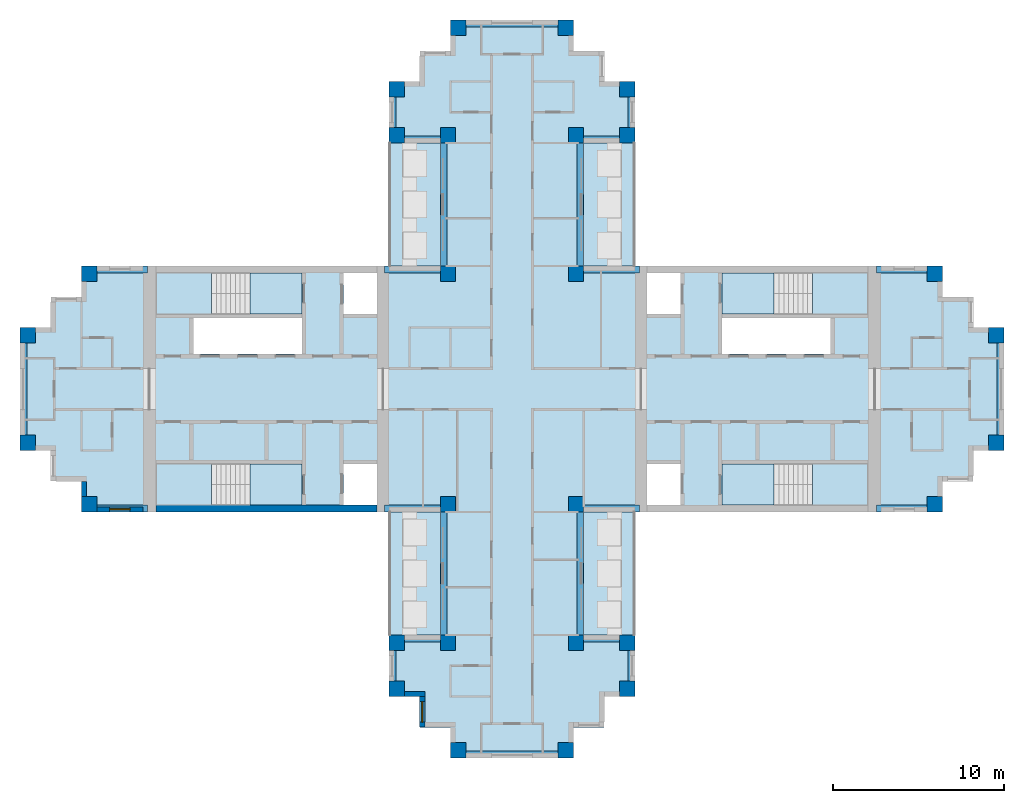
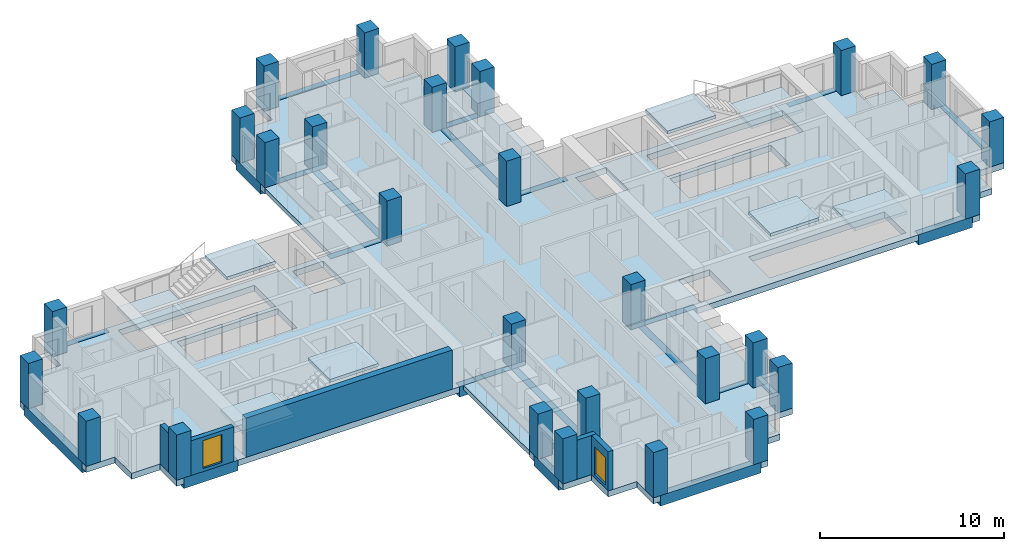
# One storey, part 1 of 10: 28 columns, 24 beams, 13 slabs, 5 walls, 2 windows, 2 openings, 4 elements without a shape of their own.
"""IFC4 building model written with IfcOpenShell, lengths in metres."""

from ifc_helpers import new_model, si_unit, direction, frame, frame_2d, origin, origin_2d, place, context, subcontext, project, spatial, polyline, rectangle, outline, extrude, material, layer, layer_set, material_profile, profile_set, type_object, element, fill, aggregate, save


model = new_model("IFC4")

# Units and contexts
model_context = context("Model", 3, precision=1e-05, world=origin(), true_north=direction((0.0, 1.0)))
body_context = subcontext(model_context, "Body", "Model", "MODEL_VIEW")
ifc_project = project(units=[si_unit("LENGTHUNIT", "METRE"), si_unit("AREAUNIT", "SQUARE_METRE"), si_unit("VOLUMEUNIT", "CUBIC_METRE"), si_unit("PLANEANGLEUNIT", "RADIAN"), si_unit("MASSUNIT", "GRAM", prefix="KILO")], contexts=[model_context])

# Site, building, storey
site_placement = place(None, origin())
site = spatial("IfcSite", under=ifc_project, at=site_placement, CompositionType="ELEMENT")
building_placement = place(site_placement, origin())
building = spatial("IfcBuilding", under=site, at=building_placement, Name="Fustian Cross Tower", CompositionType="ELEMENT")
storey_placement = place(building_placement, frame((0.0, 0.0, 231.89990234375)))
storey = spatial("IfcBuildingStorey", under=building, at=storey_placement, Name="L73", CompositionType="ELEMENT", Elevation=231.89990234375)

# Columns
ifc_material_1 = material(Name="Concrete C40/50", Category="concrete")
ifc_material_profile_1 = material_profile(ifc_material_1, rectangle(XDim=0.89990234375, YDim=0.89990234375, at=origin_2d()), Name="RC 900x900")
ifc_profile_set_1 = profile_set([ifc_material_profile_1], Name="Concrete C40/50")
column_type = type_object("IfcColumnType", Name="COLUMN RC 900x900 C40/50", PredefinedType="COLUMN", material=ifc_profile_set_1)
for number, where, z_axis, x_axis, name in (
    (1, (-28.35009765625, -3.14990234375, 0.0), (0.0, 0.0, 1.0), (1.0, 0.0, 0.0), "COLUMN 008"),
    (2, (-28.35009765625, 3.14990234375, 0.0), (0.0, 0.0, 1.0), (1.0, 0.0, 0.0), "COLUMN 009"),
    (3, (-24.75, -6.75, 0.0), (0.0, 0.0, 1.0), (1.0, 0.0, 0.0), "COLUMN 011"),
    (4, (-24.75, 6.75, 0.0), (0.0, 0.0, 1.0), (1.0, 0.0, 0.0), "COLUMN 012"),
    (5, (-6.75, -17.550048828125, 0.0), (0.0, 0.0, 1.0), (1.0, 0.0, 0.0), "COLUMN 017"),
    (6, (-6.75, -14.85009765625, 0.0), (0.0, 0.0, 1.0), (1.0, 0.0, 0.0), "COLUMN 018"),
    (7, (-6.75, 14.85009765625, 0.0), (0.0, 0.0, 1.0), (1.0, 0.0, 0.0), "COLUMN 019"),
    (8, (-6.75, 17.550048828125, 0.0), (0.0, 0.0, 1.0), (1.0, 0.0, 0.0), "COLUMN 020"),
    (9, (-3.75, -14.85009765625, 0.0), (0.0, 0.0, 1.0), (1.0, 0.0, 0.0), "COLUMN 025"),
    (10, (-3.75, -6.75, 0.0), (0.0, 0.0, 1.0), (1.0, 0.0, 0.0), "COLUMN 026"),
    (11, (-3.75, 6.75, 0.0), (0.0, 0.0, 1.0), (1.0, 0.0, 0.0), "COLUMN 027"),
    (12, (-3.75, 14.85009765625, 0.0), (0.0, 0.0, 1.0), (1.0, 0.0, 0.0), "COLUMN 028"),
    (13, (-3.14990234375, -21.14990234375, 0.0), (0.0, 0.0, 1.0), (1.0, 0.0, 0.0), "COLUMN 030"),
    (14, (-3.14990234375, 21.14990234375, 0.0), (0.0, 0.0, 1.0), (1.0, 0.0, 0.0), "COLUMN 031"),
    (15, (3.14990234375, -21.14990234375, 0.0), (0.0, 0.0, 1.0), (1.0, 0.0, 0.0), "COLUMN 034"),
    (16, (3.14990234375, 21.14990234375, 0.0), (0.0, 0.0, 1.0), (1.0, 0.0, 0.0), "COLUMN 035"),
    (17, (3.75, -14.85009765625, 0.0), (0.0, 0.0, 1.0), (1.0, 0.0, 0.0), "COLUMN 037"),
    (18, (3.75, -6.75, 0.0), (0.0, 0.0, 1.0), (1.0, 0.0, 0.0), "COLUMN 038"),
    (19, (3.75, 6.75, 0.0), (0.0, 0.0, 1.0), (1.0, 0.0, 0.0), "COLUMN 039"),
    (20, (3.75, 14.85009765625, 0.0), (0.0, 0.0, 1.0), (1.0, 0.0, 0.0), "COLUMN 040"),
    (21, (6.75, -17.550048828125, 0.0), (0.0, 0.0, 1.0), (1.0, 0.0, 0.0), "COLUMN 045"),
    (22, (6.75, -14.85009765625, 0.0), (0.0, 0.0, 1.0), (1.0, 0.0, 0.0), "COLUMN 046"),
    (23, (6.75, 14.85009765625, 0.0), (0.0, 0.0, 1.0), (1.0, 0.0, 0.0), "COLUMN 047"),
    (24, (6.75, 17.550048828125, 0.0), (0.0, 0.0, 1.0), (1.0, 0.0, 0.0), "COLUMN 048"),
    (25, (24.75, -6.75, 0.0), (0.0, 0.0, 1.0), (1.0, 0.0, 0.0), "COLUMN 053"),
    (26, (24.75, 6.75, 0.0), (0.0, 0.0, 1.0), (1.0, 0.0, 0.0), "COLUMN 054"),
    (27, (28.35009765625, -3.14990234375, 0.0), (0.0, 0.0, 1.0), (1.0, 0.0, 0.0), "COLUMN 056"),
    (28, (28.35009765625, 3.14990234375, 0.0), (0.0, 0.0, 1.0), (1.0, 0.0, 0.0), "COLUMN 057"),
):
    element("IfcColumn", number, at=place(storey_placement, frame(where, z_axis=z_axis, x_axis=x_axis)), inside=storey, type_object=column_type, Name=name, PredefinedType="COLUMN", context=body_context, shape_type="SweptSolid", body=[
        extrude(rectangle(XDim=0.89990234375, YDim=0.89990234375, at=origin_2d()), origin(), (0.0, 0.0, 1.0), 3.0),
    ])

# Beams
ifc_material_2 = material(Name="Concrete C50/60", Category="concrete")
ifc_material_profile_2 = material_profile(ifc_material_2, rectangle(XDim=0.39990234375, YDim=0.699951171875, at=origin_2d()), Name="RC 400x700")
ifc_profile_set_2 = profile_set([ifc_material_profile_2], Name="Concrete C50/60")
beam_type = type_object("IfcBeamType", Name="EDGE BEAM RC 400x700 C50/60", PredefinedType="SPANDREL", material=ifc_profile_set_2)
beam_1_placement = place(storey_placement, frame((21.35009765625, -7.0, -0.349853515625), z_axis=(1.0, 0.0, 0.0), x_axis=(0.0, 1.0, 0.0)))
element("IfcBeam", 29, at=beam_1_placement, inside=storey, type_object=beam_type, Name="EDGE BEAM L73-01", PredefinedType="SPANDREL", context=body_context, shape_type="SweptSolid", body=[
    extrude(rectangle(XDim=0.39990234375, YDim=0.699951171875, at=origin_2d()), origin(), (0.0, 0.0, 1.0), 3.39990234375),
])
beam_2_placement = place(storey_placement, frame((28.60009765625, -3.14990234375, -0.349853515625), z_axis=(0.0, 1.0, 0.0), x_axis=(-1.0, 0.0, 0.0)))
element("IfcBeam", 30, at=beam_2_placement, inside=storey, type_object=beam_type, Name="EDGE BEAM L73-02", PredefinedType="SPANDREL", context=body_context, shape_type="SweptSolid", body=[
    extrude(rectangle(XDim=0.39990234375, YDim=0.699951171875, at=origin_2d()), origin(), (0.0, 0.0, 1.0), 6.2998046875),
])
beam_3_placement = place(storey_placement, frame((24.75, 7.0, -0.349853515625), z_axis=(-1.0, 0.0, 0.0), x_axis=(0.0, -1.0, 0.0)))
element("IfcBeam", 31, at=beam_3_placement, inside=storey, type_object=beam_type, Name="EDGE BEAM L73-03", PredefinedType="SPANDREL", context=body_context, shape_type="SweptSolid", body=[
    extrude(rectangle(XDim=0.39990234375, YDim=0.699951171875, at=origin_2d()), origin(), (0.0, 0.0, 1.0), 3.39990234375),
])
beam_4_placement = place(storey_placement, frame((7.449951171875, 7.0, -0.349853515625), z_axis=(-1.0, 0.0, 0.0), x_axis=(0.0, -1.0, 0.0)))
element("IfcBeam", 32, at=beam_4_placement, inside=storey, type_object=beam_type, Name="EDGE BEAM L73-04", PredefinedType="SPANDREL", context=body_context, shape_type="SweptSolid", body=[
    extrude(rectangle(XDim=0.39990234375, YDim=0.699951171875, at=origin_2d()), origin(), (0.0, 0.0, 1.0), 3.699951171875),
])
beam_5_placement = place(storey_placement, frame((4.0, 6.75, -0.349853515625), z_axis=(0.0, 1.0, 0.0), x_axis=(-1.0, 0.0, 0.0)))
element("IfcBeam", 33, at=beam_5_placement, inside=storey, type_object=beam_type, Name="EDGE BEAM L73-05", PredefinedType="SPANDREL", context=body_context, shape_type="SweptSolid", body=[
    extrude(rectangle(XDim=0.39990234375, YDim=0.699951171875, at=origin_2d()), origin(), (0.0, 0.0, 1.0), 8.10009765625),
])
beam_6_placement = place(storey_placement, frame((3.75, 14.60009765625, -0.349853515625), z_axis=(1.0, 0.0, 0.0), x_axis=(0.0, 1.0, 0.0)))
element("IfcBeam", 34, at=beam_6_placement, inside=storey, type_object=beam_type, Name="EDGE BEAM L73-06", PredefinedType="SPANDREL", context=body_context, shape_type="SweptSolid", body=[
    extrude(rectangle(XDim=0.39990234375, YDim=0.699951171875, at=origin_2d()), origin(), (0.0, 0.0, 1.0), 3.0),
])
beam_7_placement = place(storey_placement, frame((7.0, 14.85009765625, -0.349853515625), z_axis=(0.0, 1.0, 0.0), x_axis=(-1.0, 0.0, 0.0)))
element("IfcBeam", 35, at=beam_7_placement, inside=storey, type_object=beam_type, Name="EDGE BEAM L73-07", PredefinedType="SPANDREL", context=body_context, shape_type="SweptSolid", body=[
    extrude(rectangle(XDim=0.39990234375, YDim=0.699951171875, at=origin_2d()), origin(), (0.0, 0.0, 1.0), 2.699951171875),
])
beam_8_placement = place(storey_placement, frame((3.14990234375, 21.39990234375, -0.349853515625), z_axis=(-1.0, 0.0, 0.0), x_axis=(0.0, -1.0, 0.0)))
element("IfcBeam", 36, at=beam_8_placement, inside=storey, type_object=beam_type, Name="EDGE BEAM L73-08", PredefinedType="SPANDREL", context=body_context, shape_type="SweptSolid", body=[
    extrude(rectangle(XDim=0.39990234375, YDim=0.699951171875, at=origin_2d()), origin(), (0.0, 0.0, 1.0), 6.2998046875),
])
beam_9_placement = place(storey_placement, frame((-7.0, 17.550048828125, -0.349853515625), z_axis=(0.0, -1.0, 0.0), x_axis=(1.0, 0.0, 0.0)))
element("IfcBeam", 37, at=beam_9_placement, inside=storey, type_object=beam_type, Name="EDGE BEAM L73-09", PredefinedType="SPANDREL", context=body_context, shape_type="SweptSolid", body=[
    extrude(rectangle(XDim=0.39990234375, YDim=0.699951171875, at=origin_2d()), origin(), (0.0, 0.0, 1.0), 2.699951171875),
])
beam_10_placement = place(storey_placement, frame((-6.75, 14.60009765625, -0.349853515625), z_axis=(1.0, 0.0, 0.0), x_axis=(0.0, 1.0, 0.0)))
element("IfcBeam", 38, at=beam_10_placement, inside=storey, type_object=beam_type, Name="EDGE BEAM L73-10", PredefinedType="SPANDREL", context=body_context, shape_type="SweptSolid", body=[
    extrude(rectangle(XDim=0.39990234375, YDim=0.699951171875, at=origin_2d()), origin(), (0.0, 0.0, 1.0), 3.0),
])
beam_11_placement = place(storey_placement, frame((-4.0, 14.85009765625, -0.349853515625), z_axis=(0.0, -1.0, 0.0), x_axis=(1.0, 0.0, 0.0)))
element("IfcBeam", 39, at=beam_11_placement, inside=storey, type_object=beam_type, Name="EDGE BEAM L73-11", PredefinedType="SPANDREL", context=body_context, shape_type="SweptSolid", body=[
    extrude(rectangle(XDim=0.39990234375, YDim=0.699951171875, at=origin_2d()), origin(), (0.0, 0.0, 1.0), 8.10009765625),
])
beam_12_placement = place(storey_placement, frame((-3.75, 7.0, -0.349853515625), z_axis=(-1.0, 0.0, 0.0), x_axis=(0.0, -1.0, 0.0)))
element("IfcBeam", 40, at=beam_12_placement, inside=storey, type_object=beam_type, Name="EDGE BEAM L73-12", PredefinedType="SPANDREL", context=body_context, shape_type="SweptSolid", body=[
    extrude(rectangle(XDim=0.39990234375, YDim=0.699951171875, at=origin_2d()), origin(), (0.0, 0.0, 1.0), 3.699951171875),
])
beam_13_placement = place(storey_placement, frame((-21.35009765625, 7.0, -0.349853515625), z_axis=(-1.0, 0.0, 0.0), x_axis=(0.0, -1.0, 0.0)))
element("IfcBeam", 41, at=beam_13_placement, inside=storey, type_object=beam_type, Name="EDGE BEAM L73-13", PredefinedType="SPANDREL", context=body_context, shape_type="SweptSolid", body=[
    extrude(rectangle(XDim=0.39990234375, YDim=0.699951171875, at=origin_2d()), origin(), (0.0, 0.0, 1.0), 3.39990234375),
])
beam_14_placement = place(storey_placement, frame((-28.60009765625, 3.14990234375, -0.349853515625), z_axis=(0.0, -1.0, 0.0), x_axis=(1.0, 0.0, 0.0)))
element("IfcBeam", 42, at=beam_14_placement, inside=storey, type_object=beam_type, Name="EDGE BEAM L73-14", PredefinedType="SPANDREL", context=body_context, shape_type="SweptSolid", body=[
    extrude(rectangle(XDim=0.39990234375, YDim=0.699951171875, at=origin_2d()), origin(), (0.0, 0.0, 1.0), 6.2998046875),
])
beam_15_placement = place(storey_placement, frame((-24.75, -7.0, -0.349853515625), z_axis=(1.0, 0.0, 0.0), x_axis=(0.0, 1.0, 0.0)))
element("IfcBeam", 43, at=beam_15_placement, inside=storey, type_object=beam_type, Name="EDGE BEAM L73-15", PredefinedType="SPANDREL", context=body_context, shape_type="SweptSolid", body=[
    extrude(rectangle(XDim=0.39990234375, YDim=0.699951171875, at=origin_2d()), origin(), (0.0, 0.0, 1.0), 3.39990234375),
])
beam_16_placement = place(storey_placement, frame((-7.449951171875, -7.0, -0.349853515625), z_axis=(1.0, 0.0, 0.0), x_axis=(0.0, 1.0, 0.0)))
element("IfcBeam", 44, at=beam_16_placement, inside=storey, type_object=beam_type, Name="EDGE BEAM L73-16", PredefinedType="SPANDREL", context=body_context, shape_type="SweptSolid", body=[
    extrude(rectangle(XDim=0.39990234375, YDim=0.699951171875, at=origin_2d()), origin(), (0.0, 0.0, 1.0), 3.699951171875),
])
beam_17_placement = place(storey_placement, frame((-4.0, -6.75, -0.349853515625), z_axis=(0.0, -1.0, 0.0), x_axis=(1.0, 0.0, 0.0)))
element("IfcBeam", 45, at=beam_17_placement, inside=storey, type_object=beam_type, Name="EDGE BEAM L73-17", PredefinedType="SPANDREL", context=body_context, shape_type="SweptSolid", body=[
    extrude(rectangle(XDim=0.39990234375, YDim=0.699951171875, at=origin_2d()), origin(), (0.0, 0.0, 1.0), 8.10009765625),
])
beam_18_placement = place(storey_placement, frame((-3.75, -14.60009765625, -0.349853515625), z_axis=(-1.0, 0.0, 0.0), x_axis=(0.0, -1.0, 0.0)))
element("IfcBeam", 46, at=beam_18_placement, inside=storey, type_object=beam_type, Name="EDGE BEAM L73-18", PredefinedType="SPANDREL", context=body_context, shape_type="SweptSolid", body=[
    extrude(rectangle(XDim=0.39990234375, YDim=0.699951171875, at=origin_2d()), origin(), (0.0, 0.0, 1.0), 3.0),
])
beam_19_placement = place(storey_placement, frame((-7.0, -14.85009765625, -0.349853515625), z_axis=(0.0, -1.0, 0.0), x_axis=(1.0, 0.0, 0.0)))
element("IfcBeam", 47, at=beam_19_placement, inside=storey, type_object=beam_type, Name="EDGE BEAM L73-19", PredefinedType="SPANDREL", context=body_context, shape_type="SweptSolid", body=[
    extrude(rectangle(XDim=0.39990234375, YDim=0.699951171875, at=origin_2d()), origin(), (0.0, 0.0, 1.0), 2.699951171875),
])
beam_20_placement = place(storey_placement, frame((-3.14990234375, -21.39990234375, -0.349853515625), z_axis=(1.0, 0.0, 0.0), x_axis=(0.0, 1.0, 0.0)))
element("IfcBeam", 48, at=beam_20_placement, inside=storey, type_object=beam_type, Name="EDGE BEAM L73-20", PredefinedType="SPANDREL", context=body_context, shape_type="SweptSolid", body=[
    extrude(rectangle(XDim=0.39990234375, YDim=0.699951171875, at=origin_2d()), origin(), (0.0, 0.0, 1.0), 6.2998046875),
])
beam_21_placement = place(storey_placement, frame((7.0, -17.550048828125, -0.349853515625), z_axis=(0.0, 1.0, 0.0), x_axis=(-1.0, 0.0, 0.0)))
element("IfcBeam", 49, at=beam_21_placement, inside=storey, type_object=beam_type, Name="EDGE BEAM L73-21", PredefinedType="SPANDREL", context=body_context, shape_type="SweptSolid", body=[
    extrude(rectangle(XDim=0.39990234375, YDim=0.699951171875, at=origin_2d()), origin(), (0.0, 0.0, 1.0), 2.699951171875),
])
beam_22_placement = place(storey_placement, frame((6.75, -14.60009765625, -0.349853515625), z_axis=(-1.0, 0.0, 0.0), x_axis=(0.0, -1.0, 0.0)))
element("IfcBeam", 50, at=beam_22_placement, inside=storey, type_object=beam_type, Name="EDGE BEAM L73-22", PredefinedType="SPANDREL", context=body_context, shape_type="SweptSolid", body=[
    extrude(rectangle(XDim=0.39990234375, YDim=0.699951171875, at=origin_2d()), origin(), (0.0, 0.0, 1.0), 3.0),
])
beam_23_placement = place(storey_placement, frame((4.0, -14.85009765625, -0.349853515625), z_axis=(0.0, 1.0, 0.0), x_axis=(-1.0, 0.0, 0.0)))
element("IfcBeam", 51, at=beam_23_placement, inside=storey, type_object=beam_type, Name="EDGE BEAM L73-23", PredefinedType="SPANDREL", context=body_context, shape_type="SweptSolid", body=[
    extrude(rectangle(XDim=0.39990234375, YDim=0.699951171875, at=origin_2d()), origin(), (0.0, 0.0, 1.0), 8.10009765625),
])
beam_24_placement = place(storey_placement, frame((3.75, -7.0, -0.349853515625), z_axis=(1.0, 0.0, 0.0), x_axis=(0.0, 1.0, 0.0)))
element("IfcBeam", 52, at=beam_24_placement, inside=storey, type_object=beam_type, Name="EDGE BEAM L73-24", PredefinedType="SPANDREL", context=body_context, shape_type="SweptSolid", body=[
    extrude(rectangle(XDim=0.39990234375, YDim=0.699951171875, at=origin_2d()), origin(), (0.0, 0.0, 1.0), 3.699951171875),
])

# Slabs
ifc_material_3 = material(Name="Concrete C40/50", Category="concrete")
ifc_layer_1 = layer(ifc_material_3, 0.300048828125)
ifc_layer_set_1 = layer_set([ifc_layer_1], Name="Concrete C40/50")
slab_type_1 = type_object("IfcSlabType", Name="BS1 BALCONY SLAB 300", PredefinedType="FLOOR", material=ifc_layer_set_1)
slab_1_placement = place(storey_placement, frame((0.0, 0.0, -0.2998046875)))
element("IfcSlab", 53, at=slab_1_placement, inside=storey, type_object=slab_type_1, Name="Balcony slab", PredefinedType="FLOOR", context=body_context, shape_type="SweptSolid", body=[
    extrude(outline(polyline([(4.199951171875, 7.199951171875), (7.199951171875, 7.199951171875), (7.199951171875, 14.39990234375), (4.199951171875, 14.39990234375), (4.199951171875, 7.199951171875)])), origin(), (0.0, 0.0, 1.0), 0.2998046875),
])
slab_2_placement = place(storey_placement, frame((0.0, 0.0, -0.2998046875)))
element("IfcSlab", 54, at=slab_2_placement, inside=storey, type_object=slab_type_1, Name="Balcony slab", PredefinedType="FLOOR", context=body_context, shape_type="SweptSolid", body=[
    extrude(outline(polyline([(-7.199951171875, 7.199951171875), (-4.199951171875, 7.199951171875), (-4.199951171875, 14.39990234375), (-7.199951171875, 14.39990234375), (-7.199951171875, 7.199951171875)])), origin(), (0.0, 0.0, 1.0), 0.2998046875),
])
slab_3_placement = place(storey_placement, frame((0.0, 0.0, -0.2998046875)))
element("IfcSlab", 55, at=slab_3_placement, inside=storey, type_object=slab_type_1, Name="Balcony slab", PredefinedType="FLOOR", context=body_context, shape_type="SweptSolid", body=[
    extrude(outline(polyline([(4.199951171875, -14.39990234375), (7.199951171875, -14.39990234375), (7.199951171875, -7.199951171875), (4.199951171875, -7.199951171875), (4.199951171875, -14.39990234375)])), origin(), (0.0, 0.0, 1.0), 0.2998046875),
])
slab_4_placement = place(storey_placement, frame((0.0, 0.0, -0.2998046875)))
element("IfcSlab", 56, at=slab_4_placement, inside=storey, type_object=slab_type_1, Name="Balcony slab", PredefinedType="FLOOR", context=body_context, shape_type="SweptSolid", body=[
    extrude(outline(polyline([(-7.199951171875, -14.39990234375), (-4.199951171875, -14.39990234375), (-4.199951171875, -7.199951171875), (-7.199951171875, -7.199951171875), (-7.199951171875, -14.39990234375)])), origin(), (0.0, 0.0, 1.0), 0.2998046875),
])
ifc_material_4 = material(Name="Concrete C40/50", Category="concrete")
ifc_layer_2 = layer(ifc_material_4, 0.39990234375)
ifc_layer_set_2 = layer_set([ifc_layer_2], Name="Concrete C40/50")
slab_type_2 = type_object("IfcSlabType", Name="FLAT SLAB 400", PredefinedType="FLOOR", material=ifc_layer_set_2)
slab_5_placement = place(storey_placement, frame((0.0, 0.0, -0.39990234375)))
element("IfcSlab", 57, at=slab_5_placement, inside=storey, type_object=slab_type_2, Name="FLOOR SLAB L73-1", PredefinedType="FLOOR", context=body_context, shape_type="SweptSolid", body=[
    extrude(outline(polyline([(-3.60009765625, -19.800048828125), (-5.39990234375, -19.800048828125), (-5.39990234375, -18.0), (-7.199951171875, -18.0), (-7.199951171875, -14.39990234375), (-4.199951171875, -14.39990234375), (-4.199951171875, -7.199951171875), (-25.199951171875, -7.199951171875), (-25.199951171875, -5.39990234375), (-27.0, -5.39990234375), (-27.0, -3.60009765625), (-28.800048828125, -3.60009765625), (-28.800048828125, 3.60009765625), (-27.0, 3.60009765625), (-27.0, 5.39990234375), (-25.199951171875, 5.39990234375), (-25.199951171875, 7.199951171875), (-4.199951171875, 7.199951171875), (-4.199951171875, 14.39990234375), (-7.199951171875, 14.39990234375), (-7.199951171875, 18.0), (-5.39990234375, 18.0), (-5.39990234375, 19.800048828125), (-3.60009765625, 19.800048828125), (-3.60009765625, 21.60009765625), (3.60009765625, 21.60009765625), (3.60009765625, 19.800048828125), (5.39990234375, 19.800048828125), (5.39990234375, 18.0), (7.199951171875, 18.0), (7.199951171875, 14.39990234375), (4.199951171875, 14.39990234375), (4.199951171875, 7.199951171875), (25.199951171875, 7.199951171875), (25.199951171875, 5.39990234375), (27.0, 5.39990234375), (27.0, 3.60009765625), (28.800048828125, 3.60009765625), (28.800048828125, -3.60009765625), (27.0, -3.60009765625), (27.0, -5.39990234375), (25.199951171875, -5.39990234375), (25.199951171875, -7.199951171875), (4.199951171875, -7.199951171875), (4.199951171875, -14.39990234375), (7.199951171875, -14.39990234375), (7.199951171875, -18.0), (5.39990234375, -18.0), (5.39990234375, -19.800048828125), (3.60009765625, -19.800048828125), (3.60009765625, -21.60009765625), (-3.60009765625, -21.60009765625), (-3.60009765625, -19.800048828125)]), holes=[polyline([(7.89990234375, 6.800048828125), (7.89990234375, 4.39990234375), (9.85009765625, 4.39990234375), (9.85009765625, 6.800048828125), (7.89990234375, 6.800048828125)]), polyline([(9.85009765625, -4.39990234375), (7.89990234375, -4.39990234375), (7.89990234375, -6.800048828125), (9.85009765625, -6.800048828125), (9.85009765625, -4.39990234375)]), polyline([(-7.89990234375, 4.39990234375), (-7.89990234375, 6.800048828125), (-9.85009765625, 6.800048828125), (-9.85009765625, 4.39990234375), (-7.89990234375, 4.39990234375)]), polyline([(-9.85009765625, -6.800048828125), (-7.89990234375, -6.800048828125), (-7.89990234375, -4.39990234375), (-9.85009765625, -4.39990234375), (-9.85009765625, -6.800048828125)]), polyline([(12.300048828125, 4.14990234375), (12.300048828125, 2.050048828125), (18.64990234375, 2.050048828125), (18.64990234375, 4.14990234375), (12.300048828125, 4.14990234375)]), polyline([(-12.300048828125, 4.14990234375), (-18.64990234375, 4.14990234375), (-18.64990234375, 2.050048828125), (-12.300048828125, 2.050048828125), (-12.300048828125, 4.14990234375)]), polyline([(20.85009765625, 4.39990234375), (20.85009765625, 6.699951171875), (12.300048828125, 6.699951171875), (12.300048828125, 4.39990234375), (20.85009765625, 4.39990234375)]), polyline([(12.300048828125, -6.699951171875), (20.85009765625, -6.699951171875), (20.85009765625, -4.39990234375), (12.300048828125, -4.39990234375), (12.300048828125, -6.699951171875)]), polyline([(-20.85009765625, 6.699951171875), (-20.85009765625, 4.39990234375), (-12.300048828125, 4.39990234375), (-12.300048828125, 6.699951171875), (-20.85009765625, 6.699951171875)]), polyline([(-12.300048828125, -4.39990234375), (-20.85009765625, -4.39990234375), (-20.85009765625, -6.699951171875), (-12.300048828125, -6.699951171875), (-12.300048828125, -4.39990234375)])]), origin(), (0.0, 0.0, 1.0), 0.39990234375),
])

# Stair, slabs
ifc_material_5 = material(Name="Concrete C50/60", Category="concrete")
stair_type = type_object("IfcStairType", Name="STAIR 1200 HALF TURN", PredefinedType="HALF_TURN_STAIR", material=ifc_material_5)
stair_1_placement = place(storey_placement, origin())
stair_1 = element("IfcStair", 58, at=stair_1_placement, inside=storey, type_object=stair_type, Name="Stair ST1", PredefinedType="HALF_TURN_STAIR")
ifc_material_6 = material(Name="Concrete C50/60", Category="concrete")
ifc_layer_3 = layer(ifc_material_6, 0.199951171875)
ifc_layer_set_3 = layer_set([ifc_layer_3], Name="Concrete C50/60")
slab_type_3 = type_object("IfcSlabType", Name="STAIR LANDING", PredefinedType="LANDING", material=ifc_layer_set_3)
slab_6_placement = place(storey_placement, frame((0.0, 0.0, 1.300048828125)))
slab_6 = element("IfcSlab", 59, at=slab_6_placement, type_object=slab_type_3, Name="ST1 landing 1", PredefinedType="LANDING", context=body_context, shape_type="SweptSolid", body=[
    extrude(outline(polyline([(17.590087890625, 4.39990234375), (20.85009765625, 4.39990234375), (20.85009765625, 6.800048828125), (17.590087890625, 6.800048828125), (17.590087890625, 4.39990234375)])), origin(), (0.0, 0.0, 1.0), 0.199951171875),
])
slab_7_placement = place(storey_placement, frame((0.0, 0.0, 2.800048828125)))
slab_7 = element("IfcSlab", 60, at=slab_7_placement, type_object=slab_type_3, Name="ST1 landing 2", PredefinedType="LANDING", context=body_context, shape_type="SweptSolid", body=[
    extrude(outline(polyline([(12.300048828125, 4.39990234375), (15.35009765625, 4.39990234375), (15.35009765625, 6.800048828125), (12.300048828125, 6.800048828125), (12.300048828125, 4.39990234375)])), origin(), (0.0, 0.0, 1.0), 0.199951171875),
])
aggregate(stair_1, [slab_6, slab_7])

stair_2_placement = place(storey_placement, origin())
stair_2 = element("IfcStair", 61, at=stair_2_placement, inside=storey, type_object=stair_type, Name="Stair ST2", PredefinedType="HALF_TURN_STAIR")
slab_8_placement = place(storey_placement, frame((0.0, 0.0, 1.300048828125)))
slab_8 = element("IfcSlab", 62, at=slab_8_placement, type_object=slab_type_3, Name="ST2 landing 1", PredefinedType="LANDING", context=body_context, shape_type="SweptSolid", body=[
    extrude(outline(polyline([(17.590087890625, -4.39990234375), (20.85009765625, -4.39990234375), (20.85009765625, -6.800048828125), (17.590087890625, -6.800048828125), (17.590087890625, -4.39990234375)])), origin(), (0.0, 0.0, 1.0), 0.199951171875),
])
slab_9_placement = place(storey_placement, frame((0.0, 0.0, 2.800048828125)))
slab_9 = element("IfcSlab", 63, at=slab_9_placement, type_object=slab_type_3, Name="ST2 landing 2", PredefinedType="LANDING", context=body_context, shape_type="SweptSolid", body=[
    extrude(outline(polyline([(12.300048828125, -4.39990234375), (15.35009765625, -4.39990234375), (15.35009765625, -6.800048828125), (12.300048828125, -6.800048828125), (12.300048828125, -4.39990234375)])), origin(), (0.0, 0.0, 1.0), 0.199951171875),
])
aggregate(stair_2, [slab_8, slab_9])

stair_3_placement = place(storey_placement, origin())
stair_3 = element("IfcStair", 64, at=stair_3_placement, inside=storey, type_object=stair_type, Name="Stair ST3", PredefinedType="HALF_TURN_STAIR")
slab_10_placement = place(storey_placement, frame((0.0, 0.0, 1.300048828125)))
slab_10 = element("IfcSlab", 65, at=slab_10_placement, type_object=slab_type_3, Name="ST3 landing 1", PredefinedType="LANDING", context=body_context, shape_type="SweptSolid", body=[
    extrude(outline(polyline([(-17.590087890625, 4.39990234375), (-20.85009765625, 4.39990234375), (-20.85009765625, 6.800048828125), (-17.590087890625, 6.800048828125), (-17.590087890625, 4.39990234375)])), origin(), (0.0, 0.0, 1.0), 0.199951171875),
])
slab_11_placement = place(storey_placement, frame((0.0, 0.0, 2.800048828125)))
slab_11 = element("IfcSlab", 66, at=slab_11_placement, type_object=slab_type_3, Name="ST3 landing 2", PredefinedType="LANDING", context=body_context, shape_type="SweptSolid", body=[
    extrude(outline(polyline([(-12.300048828125, 4.39990234375), (-15.35009765625, 4.39990234375), (-15.35009765625, 6.800048828125), (-12.300048828125, 6.800048828125), (-12.300048828125, 4.39990234375)])), origin(), (0.0, 0.0, 1.0), 0.199951171875),
])
aggregate(stair_3, [slab_10, slab_11])

stair_4_placement = place(storey_placement, origin())
stair_4 = element("IfcStair", 67, at=stair_4_placement, inside=storey, type_object=stair_type, Name="Stair ST4", PredefinedType="HALF_TURN_STAIR")
slab_12_placement = place(storey_placement, frame((0.0, 0.0, 1.300048828125)))
slab_12 = element("IfcSlab", 68, at=slab_12_placement, type_object=slab_type_3, Name="ST4 landing 1", PredefinedType="LANDING", context=body_context, shape_type="SweptSolid", body=[
    extrude(outline(polyline([(-17.590087890625, -4.39990234375), (-20.85009765625, -4.39990234375), (-20.85009765625, -6.800048828125), (-17.590087890625, -6.800048828125), (-17.590087890625, -4.39990234375)])), origin(), (0.0, 0.0, 1.0), 0.199951171875),
])
slab_13_placement = place(storey_placement, frame((0.0, 0.0, 2.800048828125)))
slab_13 = element("IfcSlab", 69, at=slab_13_placement, type_object=slab_type_3, Name="ST4 landing 2", PredefinedType="LANDING", context=body_context, shape_type="SweptSolid", body=[
    extrude(outline(polyline([(-12.300048828125, -4.39990234375), (-15.35009765625, -4.39990234375), (-15.35009765625, -6.800048828125), (-12.300048828125, -6.800048828125), (-12.300048828125, -4.39990234375)])), origin(), (0.0, 0.0, 1.0), 0.199951171875),
])
aggregate(stair_4, [slab_12, slab_13])

# Walls
ifc_material_7 = material(Name="Concrete C50/60", Category="concrete")
ifc_layer_4 = layer(ifc_material_7, 0.39990234375)
ifc_layer_set_4 = layer_set([ifc_layer_4], Name="Concrete C50/60")
wall_type_1 = type_object("IfcWallType", Name="CORE FACADE WALL 400 C50/60", PredefinedType="SHEAR", material=ifc_layer_set_4)
wall_1_placement = place(storey_placement, frame((-7.89990234375, -7.0, 0.0), z_axis=(0.0, 0.0, 1.0), x_axis=(-1.0, 0.0, 0.0)))
element("IfcWall", 70, at=wall_1_placement, inside=storey, type_object=wall_type_1, Name="Core facade wall", PredefinedType="SHEAR", context=body_context, shape_type="SweptSolid", body=[
    extrude(rectangle(XDim=12.9501953125, YDim=0.39990234375, at=frame_2d((6.47509765625, 0.0))), origin(), (0.0, 0.0, 1.0), 2.60009765625),
])
ifc_material_8 = material(Name="Dark aluminium cladding on insulated backing wall", Category="aluminium")
ifc_layer_5 = layer(ifc_material_8, 0.300048828125)
ifc_layer_set_5 = layer_set([ifc_layer_5], Name="Dark aluminium cladding on insulated backing wall")
wall_type_2 = type_object("IfcWallType", Name="XW1 EXTERNAL WALL 300", PredefinedType="SOLIDWALL", material=ifc_layer_set_5)
wall_2_placement = place(storey_placement, frame((-25.050048828125, -5.39990234375, 0.0), z_axis=(0.0, 0.0, 1.0), x_axis=(0.0, -1.0, 0.0)))
element("IfcWall", 71, at=wall_2_placement, inside=storey, type_object=wall_type_2, Name="External wall", PredefinedType="SOLIDWALL", context=body_context, shape_type="SweptSolid", body=[
    extrude(rectangle(XDim=0.900146484375, YDim=0.300048828125, at=frame_2d((0.4501953125, 0.0))), origin(), (0.0, 0.0, 1.0), 2.60009765625),
])

# Wall, opening, window
wall_3_placement = place(storey_placement, frame((-24.300048828125, -7.050048828125, 0.0), z_axis=(0.0, 0.0, 1.0), x_axis=(1.0, 0.0, 0.0)))
wall_3 = element("IfcWall", 72, at=wall_3_placement, inside=storey, type_object=wall_type_2, Name="External wall", PredefinedType="SOLIDWALL", context=body_context, shape_type="SweptSolid", body=[
    extrude(rectangle(XDim=2.699951171875, YDim=0.300048828125, at=frame_2d((1.35009765625, 0.0))), origin(), (0.0, 0.0, 1.0), 2.300048828125),
])
opening_1_placement = place(wall_3_placement, frame((0.75, 0.0, 0.199951171875)))
opening_1 = element("IfcOpeningElement", 73, at=opening_1_placement, cuts=wall_3, Name="Opening WN3", PredefinedType="OPENING", context=body_context, shape_type="SweptSolid", body=[
    extrude(rectangle(XDim=1.199951171875, YDim=1.85009765625, at=frame_2d((0.60009765625, 0.925048828125))), frame((0.0, 0.159912109375, 0.0), z_axis=(0.0, -1.0, 0.0), x_axis=(1.0, 0.0, 0.0)), (0.0, 0.0, 1.0), 0.320068359375),
])
ifc_material_9 = material(Name="Dark anodised aluminium and double glazing", Category="aluminium")
window_type = type_object("IfcWindowType", Name="WN3 WINDOW 1200X1850", PartitioningType="SINGLE_PANEL", PredefinedType="WINDOW", material=ifc_material_9)
window_1_placement = place(opening_1_placement, origin())
window_1 = element("IfcWindow", 74, at=window_1_placement, inside=storey, type_object=window_type, Name="Window", OverallHeight=1.85009765625, OverallWidth=1.199951171875, PartitioningType="SINGLE_PANEL", PredefinedType="WINDOW", context=body_context, shape_type="SweptSolid", body=[
    extrude(rectangle(XDim=1.199951171875, YDim=1.85009765625, at=frame_2d((0.60009765625, 0.925048828125))), frame((0.0, 0.030029296875, 0.0), z_axis=(0.0, -1.0, 0.0), x_axis=(1.0, 0.0, 0.0)), (0.0, 0.0, 1.0), 0.06005859375),
])
fill(opening_1, window_1)

# Wall
wall_4_placement = place(storey_placement, frame((-6.300048828125, -17.85009765625, 0.0), z_axis=(0.0, 0.0, 1.0), x_axis=(1.0, 0.0, 0.0)))
element("IfcWall", 75, at=wall_4_placement, inside=storey, type_object=wall_type_2, Name="External wall", PredefinedType="SOLIDWALL", context=body_context, shape_type="SweptSolid", body=[
    extrude(rectangle(XDim=1.199951171875, YDim=0.300048828125, at=frame_2d((0.60009765625, 0.0))), origin(), (0.0, 0.0, 1.0), 2.60009765625),
])

# Wall, opening, window
wall_5_placement = place(storey_placement, frame((-5.25, -18.0, 0.0), z_axis=(0.0, 0.0, 1.0), x_axis=(0.0, -1.0, 0.0)))
wall_5 = element("IfcWall", 76, at=wall_5_placement, inside=storey, type_object=wall_type_2, Name="External wall", PredefinedType="SOLIDWALL", context=body_context, shape_type="SweptSolid", body=[
    extrude(rectangle(XDim=1.800048828125, YDim=0.300048828125, at=frame_2d((0.89990234375, 0.0))), origin(), (0.0, 0.0, 1.0), 2.60009765625),
])
opening_2_placement = place(wall_5_placement, frame((0.300048828125, 0.0, 0.199951171875)))
opening_2 = element("IfcOpeningElement", 77, at=opening_2_placement, cuts=wall_5, Name="Opening WN3", PredefinedType="OPENING", context=body_context, shape_type="SweptSolid", body=[
    extrude(rectangle(XDim=1.199951171875, YDim=1.85009765625, at=frame_2d((0.60009765625, 0.925048828125))), frame((0.0, 0.159912109375, 0.0), z_axis=(0.0, -1.0, 0.0), x_axis=(1.0, 0.0, 0.0)), (0.0, 0.0, 1.0), 0.320068359375),
])
window_2_placement = place(opening_2_placement, origin())
window_2 = element("IfcWindow", 78, at=window_2_placement, inside=storey, type_object=window_type, Name="Window", OverallHeight=1.85009765625, OverallWidth=1.199951171875, PartitioningType="SINGLE_PANEL", PredefinedType="WINDOW", context=body_context, shape_type="SweptSolid", body=[
    extrude(rectangle(XDim=1.199951171875, YDim=1.85009765625, at=frame_2d((0.60009765625, 0.925048828125))), frame((0.0, 0.030029296875, 0.0), z_axis=(0.0, -1.0, 0.0), x_axis=(1.0, 0.0, 0.0)), (0.0, 0.0, 1.0), 0.06005859375),
])
fill(opening_2, window_2)

save(model, "model.ifc")
